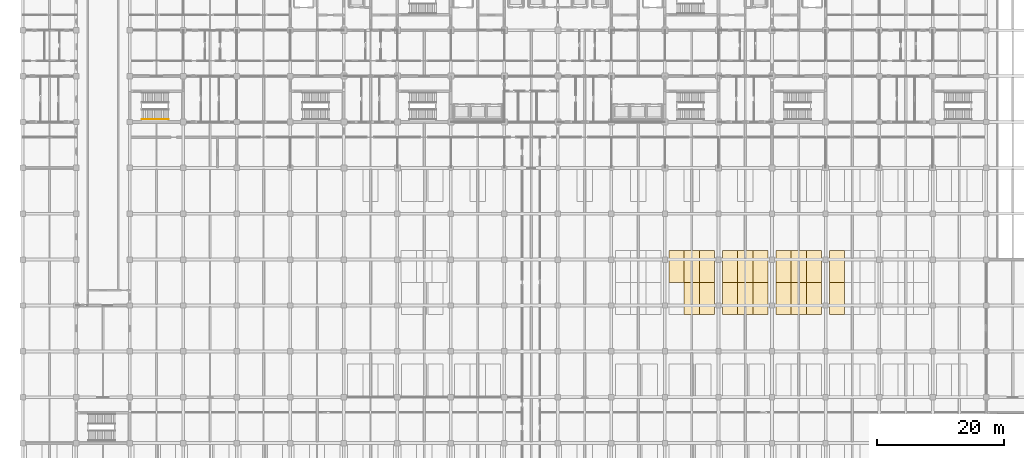
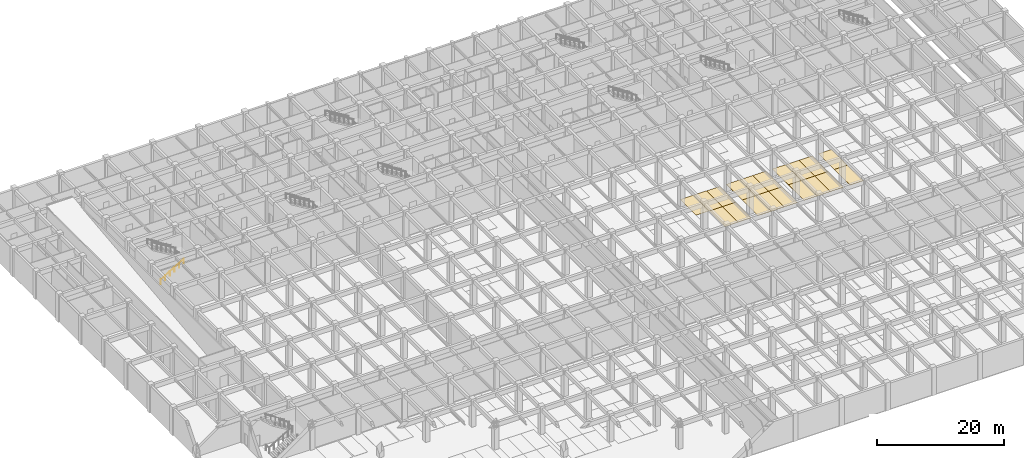
# One storey, part 43 of 48: 19 coverings, 1 railing.
"""IFC4 building model written with IfcOpenShell, lengths in metres."""

import ifcopenshell
import ifcopenshell.guid

model = None  # the IFC model being written
_history = None  # IfcOwnerHistory: only IFC2X3 demands one
_inside = {}  # id of a spatial element -> (the spatial element, [elements in it])
_under = {}  # id of a project, library or spatial element -> (it, [spatial elements below it])
_declared = {}  # id of a project -> (the project, [libraries it declares])
_typed = {}  # id of a type object -> (the type object, [elements of that type])
_made_of = {}  # id of a material, layer set ... -> (it, [elements and type objects made of it])


def new_model(schema):
    """Start an empty IFC model of exactly this schema.

    Asked for "IFC4X3", IfcOpenShell would pick the latest addendum, in which some entities
    have other attributes; the version numbers below select the first issue.
    IFC2X3 requires an IfcOwnerHistory on every rooted entity: one is made here for all.
    """
    global model, _history
    if schema == "IFC4X3":
        model = ifcopenshell.file(schema_version=(4, 3, 0, 0))
    else:
        model = ifcopenshell.file(schema=schema)
    _inside.clear()
    _under.clear()
    _declared.clear()
    _typed.clear()
    _made_of.clear()
    _history = None
    if model.schema == "IFC2X3":
        org = make("IfcOrganization", Name="unknown")
        user = make(
            "IfcPersonAndOrganization",
            ThePerson=make("IfcPerson", FamilyName="unknown"),
            TheOrganization=org,
        )
        app = make(
            "IfcApplication",
            ApplicationDeveloper=org,
            Version="unknown",
            ApplicationFullName="unknown",
            ApplicationIdentifier="unknown",
        )
        _history = make(
            "IfcOwnerHistory",
            OwningUser=user,
            OwningApplication=app,
            ChangeAction="ADDED",
            CreationDate=0,
        )
    return model


def make(cls, **values):
    """One entity of the class cls with the attributes given. An attribute that is None is left unset."""
    return model.create_entity(
        cls, **{name: value for name, value in values.items() if value is not None}
    )


def rooted(cls, **values):
    """An entity with a GlobalId (a new one), such as an element, a storey or a relation."""
    return make(cls, GlobalId=ifcopenshell.guid.new(), OwnerHistory=_history, **values)


def si_unit(unit_type, name, prefix=None):
    """IfcSIUnit, for example si_unit("LENGTHUNIT", "METRE", prefix="MILLI")."""
    return make("IfcSIUnit", UnitType=unit_type, Prefix=prefix, Name=name)


def assignment(units):
    """IfcUnitAssignment: the units of a project."""
    return None if units is None else make("IfcUnitAssignment", Units=units)


def point(xyz):
    """IfcCartesianPoint."""
    return None if xyz is None else make("IfcCartesianPoint", Coordinates=xyz)


def direction(xyz):
    """IfcDirection."""
    return None if xyz is None else make("IfcDirection", DirectionRatios=xyz)


def frame(location, z_axis=None, x_axis=None):
    """IfcAxis2Placement3D, a coordinate frame: its origin and axes. An axis left out is left unset."""
    return make(
        "IfcAxis2Placement3D",
        Location=point(location),
        Axis=direction(z_axis),
        RefDirection=direction(x_axis),
    )


def frame_2d(location, x_axis=None):
    """IfcAxis2Placement2D, a coordinate frame in the plane: its origin and x axis."""
    return make(
        "IfcAxis2Placement2D", Location=point(location), RefDirection=direction(x_axis)
    )


def origin():
    """The frame at (0, 0, 0) with its axes left unset."""
    return frame((0.0, 0.0, 0.0))


def origin_2d():
    """The frame at (0, 0) in the plane with its x axis left unset."""
    return frame_2d((0.0, 0.0))


def place(relative_to, where):
    """IfcLocalPlacement: puts the frame where relative to a parent placement (None: the world)."""
    return make(
        "IfcLocalPlacement", PlacementRelTo=relative_to, RelativePlacement=where
    )


def context(
    kind, dimensions, precision=None, world=None, true_north=None, identifier=None
):
    """IfcGeometricRepresentationContext, for example the 3D "Model" context."""
    return make(
        "IfcGeometricRepresentationContext",
        ContextIdentifier=identifier,
        ContextType=kind,
        CoordinateSpaceDimension=dimensions,
        Precision=precision,
        WorldCoordinateSystem=world,
        TrueNorth=true_north,
    )


def subcontext(parent, identifier, kind, view, scale=None):
    """IfcGeometricRepresentationSubContext, for example "Body" below "Model"."""
    return make(
        "IfcGeometricRepresentationSubContext",
        ContextIdentifier=identifier,
        ContextType=kind,
        ParentContext=parent,
        TargetScale=scale,
        TargetView=view,
    )


def project(units=None, contexts=None):
    """IfcProject with its units and contexts."""
    return rooted(
        "IfcProject",
        Name="project",
        RepresentationContexts=contexts,
        UnitsInContext=assignment(units),
    )


def spatial(cls, under=None, at=None, **own):
    """A site, building, storey or space (cls), placed at a placement, below another one or the project."""
    s = rooted(cls, ObjectPlacement=at, **own)
    if under is not None:
        _under.setdefault(under.id(), (under, []))[1].append(s)
    return s


def polyline(points):
    """IfcPolyline through the points."""
    return make("IfcPolyline", Points=[point(p) for p in points])


def profile(cls, at=None, kind="AREA", **sizes):
    """A parametric profile (cls). Its sizes go by their IFC names, for example OverallWidth=200.0."""
    return make(cls, ProfileType=kind, Position=at, **sizes)


def circle(**sizes):
    """IfcCircleProfileDef."""
    return profile("IfcCircleProfileDef", **sizes)


def outline(outer, holes=None, kind="AREA"):
    """IfcArbitraryClosedProfileDef: a profile drawn as a closed curve; with holes, ...WithVoids."""
    if holes is None:
        return make("IfcArbitraryClosedProfileDef", ProfileType=kind, OuterCurve=outer)
    return make(
        "IfcArbitraryProfileDefWithVoids",
        ProfileType=kind,
        OuterCurve=outer,
        InnerCurves=holes,
    )


def extrude(swept, where, along, depth):
    """IfcExtrudedAreaSolid: the profile swept, set in the frame where, extruded along a direction by depth."""
    return make(
        "IfcExtrudedAreaSolid",
        SweptArea=swept,
        Position=where,
        ExtrudedDirection=direction(along),
        Depth=depth,
    )


def shape(context_of_items, identifier, shape_type, items):
    """IfcShapeRepresentation: the items that make up one representation, for example the "Body"."""
    return make(
        "IfcShapeRepresentation",
        ContextOfItems=context_of_items,
        RepresentationIdentifier=identifier,
        RepresentationType=shape_type,
        Items=items,
    )


def material(Name=None, Category=None):
    """IfcMaterial."""
    return make("IfcMaterial", Name=Name, Category=Category)


def layer(
    of_material, thickness, ventilated=None, Name=None, Category=None, Priority=None
):
    """IfcMaterialLayer: one layer of a wall or slab, of a material (None: an air gap)."""
    return make(
        "IfcMaterialLayer",
        Material=of_material,
        LayerThickness=thickness,
        IsVentilated=ventilated,
        Name=Name,
        Category=Category,
        Priority=Priority,
    )


def layer_set(layers, Name=None):
    """IfcMaterialLayerSet."""
    return make("IfcMaterialLayerSet", MaterialLayers=layers, LayerSetName=Name)


def made_of(thing, what):
    """Note that an element or type object is made of a material, layer set ...; save() writes the relation."""
    if what is not None:
        _made_of.setdefault(what.id(), (what, []))[1].append(thing)
    return thing


def type_object(cls, material=None, **own):
    """A type object (cls), such as IfcWallType, which elements share."""
    return made_of(rooted(cls, **own), material)


def element(
    cls,
    number,
    at=None,
    inside=None,
    cuts=None,
    type_object=None,
    material=None,
    context=None,
    identifier="Body",
    shape_type=None,
    held_by="IfcProductDefinitionShape",
    body=None,
    shapes=None,
    **own,
):
    """One element of the class cls, such as IfcWall. Its Tag is "e" and its number.

    at: its placement. inside: the storey or other place that contains it. cuts: it is an
    opening in that element (IfcRelVoidsElement). A single representation is given by context,
    identifier, shape_type and body (its items); several are given by shapes. held_by: the class
    of the entity that holds the representations. save() writes the other relations.
    """
    e = rooted(cls, Tag="e%d" % number, ObjectPlacement=at, **own)
    if body is not None:
        shapes = [shape(context, identifier, shape_type, body)]
    if shapes is not None:
        e.Representation = make(held_by, Representations=shapes)
    if inside is not None:
        _inside.setdefault(inside.id(), (inside, []))[1].append(e)
    if cuts is not None:
        rooted(
            "IfcRelVoidsElement", RelatingBuildingElement=cuts, RelatedOpeningElement=e
        )
    if type_object is not None:
        _typed.setdefault(type_object.id(), (type_object, []))[1].append(e)
    return made_of(e, material)


def aggregate(whole, parts):
    """IfcRelAggregates: a whole, such as a stair, and the parts it consists of."""
    return rooted("IfcRelAggregates", RelatingObject=whole, RelatedObjects=parts)


def save(model, path):
    """Write the relations noted so far, then the file.

    IfcRelAggregates (storeys below a building ...), IfcRelContainedInSpatialStructure (elements
    in a storey), IfcRelDefinesByType, IfcRelAssociatesMaterial and IfcRelDeclares: one each for
    every whole, place, type object, material and project.
    """
    for whole, parts in _under.values():
        aggregate(whole, parts)
    for where, things in _inside.values():
        rooted(
            "IfcRelContainedInSpatialStructure",
            RelatedElements=things,
            RelatingStructure=where,
        )
    for kind, things in _typed.values():
        rooted("IfcRelDefinesByType", RelatedObjects=things, RelatingType=kind)
    for what, things in _made_of.values():
        rooted("IfcRelAssociatesMaterial", RelatedObjects=things, RelatingMaterial=what)
    for by, libraries in _declared.values():
        rooted("IfcRelDeclares", RelatingContext=by, RelatedDefinitions=libraries)
    model.write(path)


model = new_model("IFC4")

# Units and contexts
model_context = context("Model", 3, precision=1e-05, world=origin(), true_north=direction((0.0, 1.0)))
body_context = subcontext(model_context, "Body", "Model", "MODEL_VIEW")
ifc_project = project(units=[si_unit("LENGTHUNIT", "METRE"), si_unit("AREAUNIT", "SQUARE_METRE"), si_unit("VOLUMEUNIT", "CUBIC_METRE"), si_unit("PLANEANGLEUNIT", "RADIAN"), si_unit("MASSUNIT", "GRAM", prefix="KILO")], contexts=[model_context])

# Site, building, storey
site_placement = place(None, origin())
site = spatial("IfcSite", under=ifc_project, at=site_placement, CompositionType="ELEMENT")
building_placement = place(site_placement, origin())
building = spatial("IfcBuilding", under=site, at=building_placement, Name="Chengyuan Square Courthouse", CompositionType="ELEMENT")
storey_placement = place(building_placement, frame((0.0, 0.0, -5.39990234375)))
storey = spatial("IfcBuildingStorey", under=building, at=storey_placement, Name="B01", CompositionType="ELEMENT", Elevation=-5.39990234375)

# Coverings
ifc_material_1 = material(Name="Thermoplastic Parking Bay Marking Paint")
ifc_layer = layer(ifc_material_1, 0.010009765625)
ifc_layer_set = layer_set([ifc_layer], Name="Thermoplastic Parking Bay Marking Paint")
covering_type = type_object("IfcCoveringType", Name="PKB-01", PredefinedType="FLOORING", material=ifc_layer_set)
covering_1_placement = place(storey_placement, origin())
element("IfcCovering", 1, at=covering_1_placement, inside=storey, type_object=covering_type, Name="Parking Bay Marking B01-P177", PredefinedType="FLOORING", context=body_context, shape_type="SweptSolid", body=[
    extrude(outline(polyline([(103.800048828125, 56.199951171875), (106.199951171875, 56.199951171875), (106.199951171875, 61.199951171875), (103.800048828125, 61.199951171875), (103.800048828125, 56.199951171875)])), origin(), (0.0, 0.0, 1.0), 0.010009765625),
])
covering_2_placement = place(storey_placement, origin())
element("IfcCovering", 2, at=covering_2_placement, inside=storey, type_object=covering_type, Name="Parking Bay Marking B01-P178", PredefinedType="FLOORING", context=body_context, shape_type="SweptSolid", body=[
    extrude(outline(polyline([(106.199951171875, 56.199951171875), (108.60009765625, 56.199951171875), (108.60009765625, 61.199951171875), (106.199951171875, 61.199951171875), (106.199951171875, 56.199951171875)])), origin(), (0.0, 0.0, 1.0), 0.010009765625),
])
covering_3_placement = place(storey_placement, origin())
element("IfcCovering", 3, at=covering_3_placement, inside=storey, type_object=covering_type, Name="Parking Bay Marking B01-P179", PredefinedType="FLOORING", context=body_context, shape_type="SweptSolid", body=[
    extrude(outline(polyline([(109.800048828125, 56.199951171875), (112.199951171875, 56.199951171875), (112.199951171875, 61.199951171875), (109.800048828125, 61.199951171875), (109.800048828125, 56.199951171875)])), origin(), (0.0, 0.0, 1.0), 0.010009765625),
])
covering_4_placement = place(storey_placement, origin())
element("IfcCovering", 4, at=covering_4_placement, inside=storey, type_object=covering_type, Name="Parking Bay Marking B01-P180", PredefinedType="FLOORING", context=body_context, shape_type="SweptSolid", body=[
    extrude(outline(polyline([(112.199951171875, 56.199951171875), (114.60009765625, 56.199951171875), (114.60009765625, 61.199951171875), (112.199951171875, 61.199951171875), (112.199951171875, 56.199951171875)])), origin(), (0.0, 0.0, 1.0), 0.010009765625),
])
covering_5_placement = place(storey_placement, origin())
element("IfcCovering", 5, at=covering_5_placement, inside=storey, type_object=covering_type, Name="Parking Bay Marking B01-P181", PredefinedType="FLOORING", context=body_context, shape_type="SweptSolid", body=[
    extrude(outline(polyline([(114.60009765625, 56.199951171875), (117.0, 56.199951171875), (117.0, 61.199951171875), (114.60009765625, 61.199951171875), (114.60009765625, 56.199951171875)])), origin(), (0.0, 0.0, 1.0), 0.010009765625),
])
covering_6_placement = place(storey_placement, origin())
element("IfcCovering", 6, at=covering_6_placement, inside=storey, type_object=covering_type, Name="Parking Bay Marking B01-P182", PredefinedType="FLOORING", context=body_context, shape_type="SweptSolid", body=[
    extrude(outline(polyline([(118.199951171875, 56.199951171875), (120.60009765625, 56.199951171875), (120.60009765625, 61.199951171875), (118.199951171875, 61.199951171875), (118.199951171875, 56.199951171875)])), origin(), (0.0, 0.0, 1.0), 0.010009765625),
])
covering_7_placement = place(storey_placement, origin())
element("IfcCovering", 7, at=covering_7_placement, inside=storey, type_object=covering_type, Name="Parking Bay Marking B01-P183", PredefinedType="FLOORING", context=body_context, shape_type="SweptSolid", body=[
    extrude(outline(polyline([(120.60009765625, 56.199951171875), (123.0, 56.199951171875), (123.0, 61.199951171875), (120.60009765625, 61.199951171875), (120.60009765625, 56.199951171875)])), origin(), (0.0, 0.0, 1.0), 0.010009765625),
])
covering_8_placement = place(storey_placement, origin())
element("IfcCovering", 8, at=covering_8_placement, inside=storey, type_object=covering_type, Name="Parking Bay Marking B01-P184", PredefinedType="FLOORING", context=body_context, shape_type="SweptSolid", body=[
    extrude(outline(polyline([(123.0, 56.199951171875), (125.39990234375, 56.199951171875), (125.39990234375, 61.199951171875), (123.0, 61.199951171875), (123.0, 56.199951171875)])), origin(), (0.0, 0.0, 1.0), 0.010009765625),
])
covering_9_placement = place(storey_placement, origin())
element("IfcCovering", 9, at=covering_9_placement, inside=storey, type_object=covering_type, Name="Parking Bay Marking B01-P185", PredefinedType="FLOORING", context=body_context, shape_type="SweptSolid", body=[
    extrude(outline(polyline([(126.60009765625, 56.199951171875), (129.0, 56.199951171875), (129.0, 61.199951171875), (126.60009765625, 61.199951171875), (126.60009765625, 56.199951171875)])), origin(), (0.0, 0.0, 1.0), 0.010009765625),
])
covering_10_placement = place(storey_placement, origin())
element("IfcCovering", 10, at=covering_10_placement, inside=storey, type_object=covering_type, Name="Parking Bay Marking B01-P194", PredefinedType="FLOORING", context=body_context, shape_type="SweptSolid", body=[
    extrude(outline(polyline([(101.39990234375, 61.199951171875), (103.800048828125, 61.199951171875), (103.800048828125, 66.199951171875), (101.39990234375, 66.199951171875), (101.39990234375, 61.199951171875)])), origin(), (0.0, 0.0, 1.0), 0.010009765625),
])
covering_11_placement = place(storey_placement, origin())
element("IfcCovering", 11, at=covering_11_placement, inside=storey, type_object=covering_type, Name="Parking Bay Marking B01-P195", PredefinedType="FLOORING", context=body_context, shape_type="SweptSolid", body=[
    extrude(outline(polyline([(103.800048828125, 61.199951171875), (106.199951171875, 61.199951171875), (106.199951171875, 66.199951171875), (103.800048828125, 66.199951171875), (103.800048828125, 61.199951171875)])), origin(), (0.0, 0.0, 1.0), 0.010009765625),
])
covering_12_placement = place(storey_placement, origin())
element("IfcCovering", 12, at=covering_12_placement, inside=storey, type_object=covering_type, Name="Parking Bay Marking B01-P196", PredefinedType="FLOORING", context=body_context, shape_type="SweptSolid", body=[
    extrude(outline(polyline([(106.199951171875, 61.199951171875), (108.60009765625, 61.199951171875), (108.60009765625, 66.199951171875), (106.199951171875, 66.199951171875), (106.199951171875, 61.199951171875)])), origin(), (0.0, 0.0, 1.0), 0.010009765625),
])
covering_13_placement = place(storey_placement, origin())
element("IfcCovering", 13, at=covering_13_placement, inside=storey, type_object=covering_type, Name="Parking Bay Marking B01-P197", PredefinedType="FLOORING", context=body_context, shape_type="SweptSolid", body=[
    extrude(outline(polyline([(109.800048828125, 61.199951171875), (112.199951171875, 61.199951171875), (112.199951171875, 66.199951171875), (109.800048828125, 66.199951171875), (109.800048828125, 61.199951171875)])), origin(), (0.0, 0.0, 1.0), 0.010009765625),
])
covering_14_placement = place(storey_placement, origin())
element("IfcCovering", 14, at=covering_14_placement, inside=storey, type_object=covering_type, Name="Parking Bay Marking B01-P198", PredefinedType="FLOORING", context=body_context, shape_type="SweptSolid", body=[
    extrude(outline(polyline([(112.199951171875, 61.199951171875), (114.60009765625, 61.199951171875), (114.60009765625, 66.199951171875), (112.199951171875, 66.199951171875), (112.199951171875, 61.199951171875)])), origin(), (0.0, 0.0, 1.0), 0.010009765625),
])
covering_15_placement = place(storey_placement, origin())
element("IfcCovering", 15, at=covering_15_placement, inside=storey, type_object=covering_type, Name="Parking Bay Marking B01-P199", PredefinedType="FLOORING", context=body_context, shape_type="SweptSolid", body=[
    extrude(outline(polyline([(114.60009765625, 61.199951171875), (117.0, 61.199951171875), (117.0, 66.199951171875), (114.60009765625, 66.199951171875), (114.60009765625, 61.199951171875)])), origin(), (0.0, 0.0, 1.0), 0.010009765625),
])
covering_16_placement = place(storey_placement, origin())
element("IfcCovering", 16, at=covering_16_placement, inside=storey, type_object=covering_type, Name="Parking Bay Marking B01-P200", PredefinedType="FLOORING", context=body_context, shape_type="SweptSolid", body=[
    extrude(outline(polyline([(118.199951171875, 61.199951171875), (120.60009765625, 61.199951171875), (120.60009765625, 66.199951171875), (118.199951171875, 66.199951171875), (118.199951171875, 61.199951171875)])), origin(), (0.0, 0.0, 1.0), 0.010009765625),
])
covering_17_placement = place(storey_placement, origin())
element("IfcCovering", 17, at=covering_17_placement, inside=storey, type_object=covering_type, Name="Parking Bay Marking B01-P201", PredefinedType="FLOORING", context=body_context, shape_type="SweptSolid", body=[
    extrude(outline(polyline([(120.60009765625, 61.199951171875), (123.0, 61.199951171875), (123.0, 66.199951171875), (120.60009765625, 66.199951171875), (120.60009765625, 61.199951171875)])), origin(), (0.0, 0.0, 1.0), 0.010009765625),
])
covering_18_placement = place(storey_placement, origin())
element("IfcCovering", 18, at=covering_18_placement, inside=storey, type_object=covering_type, Name="Parking Bay Marking B01-P202", PredefinedType="FLOORING", context=body_context, shape_type="SweptSolid", body=[
    extrude(outline(polyline([(123.0, 61.199951171875), (125.39990234375, 61.199951171875), (125.39990234375, 66.199951171875), (123.0, 66.199951171875), (123.0, 61.199951171875)])), origin(), (0.0, 0.0, 1.0), 0.010009765625),
])
covering_19_placement = place(storey_placement, origin())
element("IfcCovering", 19, at=covering_19_placement, inside=storey, type_object=covering_type, Name="Parking Bay Marking B01-P203", PredefinedType="FLOORING", context=body_context, shape_type="SweptSolid", body=[
    extrude(outline(polyline([(126.60009765625, 61.199951171875), (129.0, 61.199951171875), (129.0, 66.199951171875), (126.60009765625, 66.199951171875), (126.60009765625, 61.199951171875)])), origin(), (0.0, 0.0, 1.0), 0.010009765625),
])

# Railing
ifc_material_2 = material(Name="Stainless Steel S30408 Stair Handrail", Category="steel")
railing_type = type_object("IfcRailingType", Name="RL-04", PredefinedType="HANDRAIL", material=ifc_material_2)
railing_placement = place(storey_placement, frame((18.7099609375, 86.820068359375, 0.168701171875)))
element("IfcRailing", 20, at=railing_placement, inside=storey, type_object=railing_type, Name="Stair Flight 1 Handrail ST-9-B01", PredefinedType="HANDRAIL", context=body_context, shape_type="SweptSolid", body=[
    extrude(circle(Radius=0.02392578125, at=origin_2d()), frame((0.0, 0.0, 0.8759765625), z_axis=(0.856476492594, 0.0, 0.516186030065), x_axis=(0.0, 1.0, 0.0)), (0.0, 0.0, 1.0), 4.90380859375),
    extrude(circle(Radius=0.02099609375, at=origin_2d()), origin(), (0.0, 0.0, 1.0), 0.851806640625),
    extrude(circle(Radius=0.02099609375, at=origin_2d()), frame((0.840087890625, 0.0, 0.50634765625)), (0.0, 0.0, 1.0), 0.851806640625),
    extrude(circle(Radius=0.02099609375, at=origin_2d()), frame((1.679931640625, 0.0, 1.012451171875)), (0.0, 0.0, 1.0), 0.851806640625),
    extrude(circle(Radius=0.02099609375, at=origin_2d()), frame((2.52001953125, 0.0, 1.518798828125)), (0.0, 0.0, 1.0), 0.851806640625),
    extrude(circle(Radius=0.02099609375, at=origin_2d()), frame((3.35986328125, 0.0, 2.02490234375)), (0.0, 0.0, 1.0), 0.851806640625),
    extrude(circle(Radius=0.02099609375, at=origin_2d()), frame((4.199951171875, 0.0, 2.53125)), (0.0, 0.0, 1.0), 0.851806640625),
])

save(model, "model.ifc")
